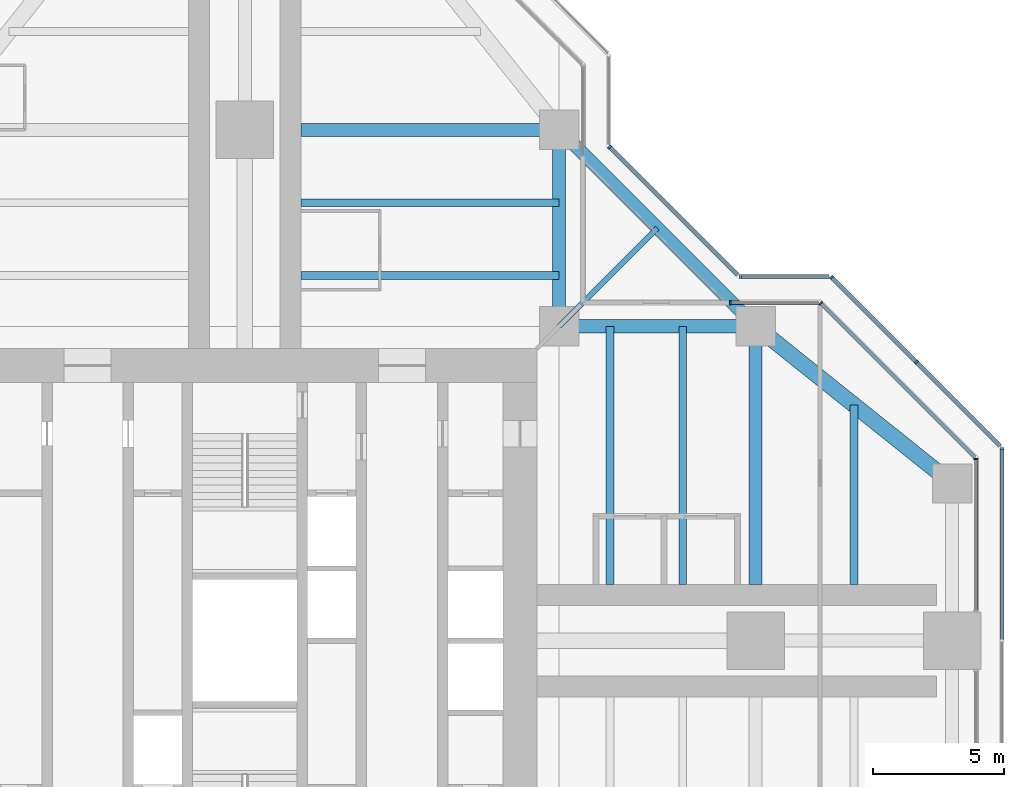
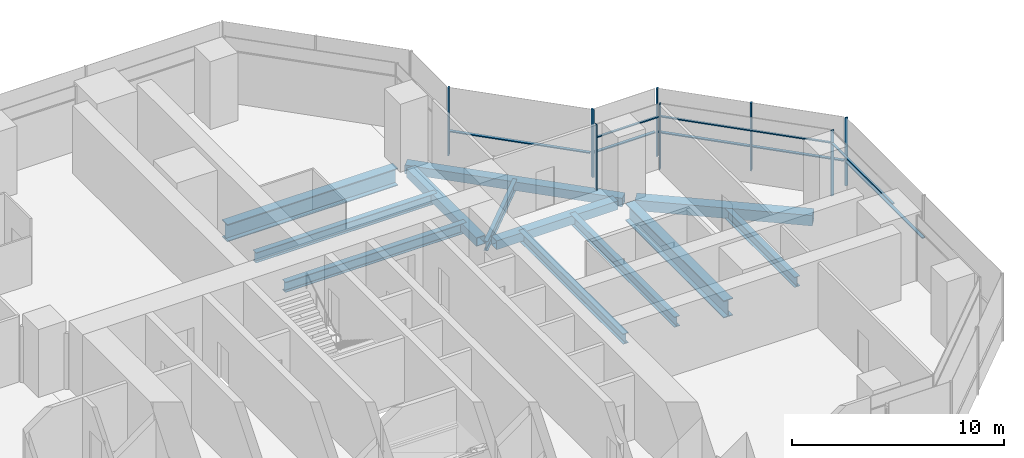
# One storey, part 8 of 17: 16 members, 12 beams, 7 elements without a shape of their own.
"""IFC4 building model written with IfcOpenShell, lengths in metres."""

from ifc_helpers import new_model, si_unit, direction, frame, origin, origin_2d, place, context, subcontext, project, spatial, rectangle, hollow_rectangle, i_section, extrude, material, material_profile, profile_set, type_object, element, aggregate, save


model = new_model("IFC4")

# Units and contexts
model_context = context("Model", 3, precision=1e-05, world=origin(), true_north=direction((0.0, 1.0)))
body_context = subcontext(model_context, "Body", "Model", "MODEL_VIEW")
ifc_project = project(units=[si_unit("LENGTHUNIT", "METRE"), si_unit("AREAUNIT", "SQUARE_METRE"), si_unit("VOLUMEUNIT", "CUBIC_METRE"), si_unit("PLANEANGLEUNIT", "RADIAN"), si_unit("MASSUNIT", "GRAM", prefix="KILO")], contexts=[model_context])

# Site, building, storey
site_placement = place(None, origin())
site = spatial("IfcSite", under=ifc_project, at=site_placement, CompositionType="ELEMENT")
building_placement = place(site_placement, origin())
building = spatial("IfcBuilding", under=site, at=building_placement, Name="Mizan Broadcast Tower", CompositionType="ELEMENT")
storey_placement = place(building_placement, frame((0.0, 0.0, 208.800048828125)))
storey = spatial("IfcBuildingStorey", under=building, at=storey_placement, Name="L48", CompositionType="ELEMENT", Elevation=208.800048828125)

# Beams
ifc_material_1 = material(Name="Steel S355", Category="steel")
ifc_material_profile_1 = material_profile(ifc_material_1, hollow_rectangle(XDim=0.5, YDim=0.5, WallThickness=0.030029296875, at=origin_2d()), Name="BOX 500x500x30")
ifc_profile_set_1 = profile_set([ifc_material_profile_1], Name="Steel S355")
beam_type_1 = type_object("IfcBeamType", Name="EDGE BEAM BOX 500x500x30", PredefinedType="SPANDREL", material=ifc_profile_set_1)
for number, where, z_axis, x_axis, name in (
    (1, (12.449951171875, 12.0, -0.380126953125), (1.0, 0.0, 0.0), (0.0, 1.0, 0.0), "Edge beam BOX 500x500x30 L48 east arm"),
    (2, (12.0, 12.449951171875, -0.380126953125), (0.0, 1.0, 0.0), (-1.0, 0.0, 0.0), "Edge beam BOX 500x500x30 L48 north arm"),
):
    element("IfcBeam", number, at=place(storey_placement, frame(where, z_axis=z_axis, x_axis=x_axis)), inside=storey, type_object=beam_type_1, Name=name, PredefinedType="SPANDREL", context=body_context, shape_type="SweptSolid", body=[
        extrude(hollow_rectangle(XDim=0.5, YDim=0.5, WallThickness=0.030029296875, at=origin_2d()), origin(), (0.0, 0.0, 1.0), 6.60009765625),
    ])
beam_1_placement = place(storey_placement, frame((19.5, 12.0, -0.380126953125), z_axis=(-0.707106781187, 0.707106781187, 0.0), x_axis=(-0.707106781187, -0.707106781187, 0.0)))
element("IfcBeam", 3, at=beam_1_placement, inside=storey, type_object=beam_type_1, Name="Winter garden edge beam L48 E", PredefinedType="SPANDREL", context=body_context, shape_type="SweptSolid", body=[
    extrude(hollow_rectangle(XDim=0.5, YDim=0.5, WallThickness=0.030029296875, at=origin_2d()), origin(), (0.0, 0.0, 1.0), 10.606689453125),
])
ifc_material_2 = material(Name="Steel S355", Category="steel")
ifc_material_profile_2 = material_profile(ifc_material_2, hollow_rectangle(XDim=0.60009765625, YDim=0.60009765625, WallThickness=0.030029296875, at=origin_2d()), Name="BOX 600x600x30")
ifc_profile_set_2 = profile_set([ifc_material_profile_2], Name="Steel S355")
beam_type_2 = type_object("IfcBeamType", Name="EDGE BEAM BOX 600x600x30", PredefinedType="SPANDREL", material=ifc_profile_set_2)
beam_2_placement = place(storey_placement, frame((19.949951171875, 11.639892578125, -0.429931640625), z_axis=(0.780885717636, -0.624673911726, 0.0), x_axis=(0.624673911726, 0.780885717636, 0.0)))
element("IfcBeam", 4, at=beam_2_placement, inside=storey, type_object=beam_type_2, Name="Edge beam BOX 600x600x30 L48 east arm", PredefinedType="SPANDREL", context=body_context, shape_type="SweptSolid", body=[
    extrude(hollow_rectangle(XDim=0.60009765625, YDim=0.60009765625, WallThickness=0.030029296875, at=origin_2d()), origin(), (0.0, 0.0, 1.0), 8.4521484375),
])
ifc_material_3 = material(Name="Steel S460", Category="steel")
ifc_material_profile_3 = material_profile(ifc_material_3, i_section(OverallWidth=0.5, OverallDepth=1.0, WebThickness=0.02490234375, FlangeThickness=0.050048828125, at=origin_2d()), Name="WPG 1000x500")
ifc_profile_set_3 = profile_set([ifc_material_profile_3], Name="Steel S460")
beam_type_3 = type_object("IfcBeamType", Name="GIRDER WPG 1000x500", PredefinedType="BEAM", material=ifc_profile_set_3)
for number, where, z_axis, x_axis, name in (
    (5, (19.5, 11.408935546875, -0.630126953125), (0.0, -1.0, 0.0), (1.0, 0.0, 0.0), "Girder WPG 1000x500 L48 east arm"),
    (6, (11.408935546875, 19.5, -0.630126953125), (-1.0, 0.0, 0.0), (0.0, -1.0, 0.0), "Girder WPG 1000x500 L48 north arm"),
):
    element("IfcBeam", number, at=place(storey_placement, frame(where, z_axis=z_axis, x_axis=x_axis)), inside=storey, type_object=beam_type_3, Name=name, PredefinedType="BEAM", context=body_context, shape_type="SweptSolid", body=[
        extrude(i_section(OverallWidth=0.5, OverallDepth=1.0, WebThickness=0.02490234375, FlangeThickness=0.050048828125, at=origin_2d()), origin(), (0.0, 0.0, 1.0), 9.259033203125),
    ])

# Curtain wall, member
ifc_material_4 = material(Name="Aluminium framed glazing", Category="aluminium")
curtain_wall_type_1 = type_object("IfcCurtainWallType", Name="INNER SKIN HIGH ZONE", PredefinedType="USERDEFINED", material=ifc_material_4)
curtain_wall_1_placement = place(storey_placement, origin())
curtain_wall_1 = element("IfcCurtainWall", 7, at=curtain_wall_1_placement, inside=storey, type_object=curtain_wall_type_1, Name="Inner skin high zone L48 E end", ObjectType="INNER SKIN HIGH ZONE", PredefinedType="USERDEFINED")
ifc_material_5 = material(Name="Aluminium, pale anodised", Category="aluminium")
ifc_material_profile_4 = material_profile(ifc_material_5, rectangle(XDim=0.159912109375, YDim=0.06005859375, at=origin_2d()), Name="MULLION 160x60")
ifc_profile_set_4 = profile_set([ifc_material_profile_4], Name="Aluminium, pale anodised")
member_type_1 = type_object("IfcMemberType", Name="INNER SKIN MULLION 60x160", PredefinedType="MULLION", material=ifc_profile_set_4)
member_1_placement = place(storey_placement, frame((27.89990234375, 6.928466796875, 0.0), z_axis=(0.0, 0.0, 1.0), x_axis=(-1.0, 0.0, 0.0)))
member_1 = element("IfcMember", 8, at=member_1_placement, type_object=member_type_1, Name="Inner skin high zone L48 E end mullion 2", PredefinedType="MULLION", context=body_context, shape_type="SweptSolid", body=[
    extrude(rectangle(XDim=0.159912109375, YDim=0.06005859375, at=origin_2d()), origin(), (0.0, 0.0, 1.0), 3.77001953125),
])

curtain_wall_2_placement = place(storey_placement, origin())
curtain_wall_2 = element("IfcCurtainWall", 9, at=curtain_wall_2_placement, inside=storey, type_object=curtain_wall_type_1, Name="Inner skin high zone L48 E chamfer", ObjectType="INNER SKIN HIGH ZONE", PredefinedType="USERDEFINED")
member_2_placement = place(storey_placement, frame((21.979736328125, 12.87890625, 0.0), z_axis=(0.0, 0.0, 1.0), x_axis=(-0.707106781187, -0.707106781187, 0.0)))
member_2 = element("IfcMember", 10, at=member_2_placement, type_object=member_type_1, Name="Inner skin high zone L48 E chamfer mullion 2", PredefinedType="MULLION", context=body_context, shape_type="SweptSolid", body=[
    extrude(rectangle(XDim=0.159912109375, YDim=0.06005859375, at=origin_2d()), origin(), (0.0, 0.0, 1.0), 3.77001953125),
])

curtain_wall_3_placement = place(storey_placement, origin())
curtain_wall_3 = element("IfcCurtainWall", 11, at=curtain_wall_3_placement, inside=storey, type_object=curtain_wall_type_1, Name="Inner skin high zone L48 E side", ObjectType="INNER SKIN HIGH ZONE", PredefinedType="USERDEFINED")
member_3_placement = place(storey_placement, frame((18.530029296875, 12.89990234375, 0.0), z_axis=(0.0, 0.0, 1.0), x_axis=(0.0, -1.0, 0.0)))
member_3 = element("IfcMember", 12, at=member_3_placement, type_object=member_type_1, Name="Inner skin high zone L48 E side mullion 2", PredefinedType="MULLION", context=body_context, shape_type="SweptSolid", body=[
    extrude(rectangle(XDim=0.159912109375, YDim=0.06005859375, at=origin_2d()), origin(), (0.0, 0.0, 1.0), 3.77001953125),
])

# Member
ifc_material_6 = material(Name="Aluminium, pale anodised", Category="aluminium")
ifc_material_profile_5 = material_profile(ifc_material_6, rectangle(XDim=0.1201171875, YDim=0.06005859375, at=origin_2d()), Name="TRANSOM 120x60")
ifc_profile_set_5 = profile_set([ifc_material_profile_5], Name="Aluminium, pale anodised")
member_type_2 = type_object("IfcMemberType", Name="INNER SKIN TRANSOM 60x120", PredefinedType="USERDEFINED", material=ifc_profile_set_5)
member_4_placement = place(storey_placement, frame((27.89990234375, 1.159912109375, 3.030029296875), z_axis=(0.0, 1.0, 0.0), x_axis=(-1.0, 0.0, 0.0)))
member_4 = element("IfcMember", 13, at=member_4_placement, type_object=member_type_2, Name="Inner skin high zone L48 E end transom 1.1", ObjectType="TRANSOM", PredefinedType="USERDEFINED", context=body_context, shape_type="SweptSolid", body=[
    extrude(rectangle(XDim=0.1201171875, YDim=0.06005859375, at=origin_2d()), origin(), (0.0, 0.0, 1.0), 5.73876953125),
])

aggregate(curtain_wall_1, [member_1, member_4])

member_5_placement = place(storey_placement, frame((27.857666015625, 7.0009765625, 3.030029296875), z_axis=(-0.707106781187, 0.707106781187, 0.0), x_axis=(-0.707106781187, -0.707106781187, 0.0)))
member_5 = element("IfcMember", 14, at=member_5_placement, type_object=member_type_2, Name="Inner skin high zone L48 E chamfer transom 1.1", ObjectType="TRANSOM", PredefinedType="USERDEFINED", context=body_context, shape_type="SweptSolid", body=[
    extrude(rectangle(XDim=0.1201171875, YDim=0.06005859375, at=origin_2d()), origin(), (0.0, 0.0, 1.0), 8.28271484375),
])

aggregate(curtain_wall_2, [member_2, member_5])

member_6_placement = place(storey_placement, frame((21.898681640625, 12.89990234375, 3.030029296875), z_axis=(-1.0, 0.0, 0.0), x_axis=(0.0, -1.0, 0.0)))
member_6 = element("IfcMember", 15, at=member_6_placement, type_object=member_type_2, Name="Inner skin high zone L48 E side transom 1.1", ObjectType="TRANSOM", PredefinedType="USERDEFINED", context=body_context, shape_type="SweptSolid", body=[
    extrude(rectangle(XDim=0.1201171875, YDim=0.06005859375, at=origin_2d()), origin(), (0.0, 0.0, 1.0), 3.338623046875),
])

aggregate(curtain_wall_3, [member_3, member_6])

# Curtain wall, member
ifc_material_7 = material(Name="Aluminium framed glazing", Category="aluminium")
curtain_wall_type_2 = type_object("IfcCurtainWallType", Name="OUTER SKIN", PredefinedType="USERDEFINED", material=ifc_material_7)
curtain_wall_4_placement = place(storey_placement, origin())
curtain_wall_4 = element("IfcCurtainWall", 16, at=curtain_wall_4_placement, inside=storey, type_object=curtain_wall_type_2, Name="Outer skin L48 E end", ObjectType="OUTER SKIN", PredefinedType="USERDEFINED")
ifc_material_8 = material(Name="Aluminium, pale anodised", Category="aluminium")
ifc_material_profile_6 = material_profile(ifc_material_8, rectangle(XDim=0.159912109375, YDim=0.080078125, at=origin_2d()), Name="MULLION 160x80")
ifc_profile_set_6 = profile_set([ifc_material_profile_6], Name="Aluminium, pale anodised")
member_type_3 = type_object("IfcMemberType", Name="OUTER SKIN MULLION 80x160", PredefinedType="MULLION", material=ifc_profile_set_6)
member_7_placement = place(storey_placement, frame((28.89990234375, 7.332763671875, 0.0), z_axis=(0.0, 0.0, 1.0), x_axis=(-1.0, 0.0, 0.0)))
member_7 = element("IfcMember", 17, at=member_7_placement, type_object=member_type_3, Name="Outer skin L48 E end mullion 3", PredefinedType="MULLION", context=body_context, shape_type="SweptSolid", body=[
    extrude(rectangle(XDim=0.159912109375, YDim=0.080078125, at=origin_2d()), origin(), (0.0, 0.0, 1.0), 3.89990234375),
])

# Curtain wall, members
curtain_wall_5_placement = place(storey_placement, origin())
curtain_wall_5 = element("IfcCurtainWall", 18, at=curtain_wall_5_placement, inside=storey, type_object=curtain_wall_type_2, Name="Outer skin L48 E chamfer", ObjectType="OUTER SKIN", PredefinedType="USERDEFINED")
member_8_placement = place(storey_placement, frame((25.636474609375, 10.636474609375, 0.0), z_axis=(0.0, 0.0, 1.0), x_axis=(-0.707106781187, -0.707106781187, 0.0)))
member_8 = element("IfcMember", 19, at=member_8_placement, type_object=member_type_3, Name="Outer skin L48 E chamfer mullion 2", PredefinedType="MULLION", context=body_context, shape_type="SweptSolid", body=[
    extrude(rectangle(XDim=0.159912109375, YDim=0.080078125, at=origin_2d()), origin(), (0.0, 0.0, 1.0), 3.89990234375),
])
member_9_placement = place(storey_placement, frame((22.401123046875, 13.871826171875, 0.0), z_axis=(0.0, 0.0, 1.0), x_axis=(-0.707106781187, -0.707106781187, 0.0)))
member_9 = element("IfcMember", 20, at=member_9_placement, type_object=member_type_3, Name="Outer skin L48 E chamfer mullion 3", PredefinedType="MULLION", context=body_context, shape_type="SweptSolid", body=[
    extrude(rectangle(XDim=0.159912109375, YDim=0.080078125, at=origin_2d()), origin(), (0.0, 0.0, 1.0), 3.89990234375),
])

# Curtain wall, member
curtain_wall_6_placement = place(storey_placement, origin())
curtain_wall_6 = element("IfcCurtainWall", 21, at=curtain_wall_6_placement, inside=storey, type_object=curtain_wall_type_2, Name="Outer skin L48 E side", ObjectType="OUTER SKIN", PredefinedType="USERDEFINED")
member_10_placement = place(storey_placement, frame((18.912841796875, 13.89990234375, 0.0), z_axis=(0.0, 0.0, 1.0), x_axis=(0.0, -1.0, 0.0)))
member_10 = element("IfcMember", 22, at=member_10_placement, type_object=member_type_3, Name="Outer skin L48 E side mullion 2", PredefinedType="MULLION", context=body_context, shape_type="SweptSolid", body=[
    extrude(rectangle(XDim=0.159912109375, YDim=0.080078125, at=origin_2d()), origin(), (0.0, 0.0, 1.0), 3.89990234375),
])

curtain_wall_7_placement = place(storey_placement, origin())
curtain_wall_7 = element("IfcCurtainWall", 23, at=curtain_wall_7_placement, inside=storey, type_object=curtain_wall_type_2, Name="Outer skin L48 E chamfer", ObjectType="OUTER SKIN", PredefinedType="USERDEFINED")
member_11_placement = place(storey_placement, frame((13.92822265625, 18.844482421875, 0.0), z_axis=(0.0, 0.0, 1.0), x_axis=(-0.707106781187, -0.707106781187, 0.0)))
member_11 = element("IfcMember", 24, at=member_11_placement, type_object=member_type_3, Name="Outer skin L48 E chamfer mullion 2", PredefinedType="MULLION", context=body_context, shape_type="SweptSolid", body=[
    extrude(rectangle(XDim=0.159912109375, YDim=0.080078125, at=origin_2d()), origin(), (0.0, 0.0, 1.0), 3.89990234375),
])

# Member
ifc_material_9 = material(Name="Aluminium, pale anodised", Category="aluminium")
ifc_material_profile_7 = material_profile(ifc_material_9, rectangle(XDim=0.159912109375, YDim=0.06005859375, at=origin_2d()), Name="TRANSOM 160x60")
ifc_profile_set_7 = profile_set([ifc_material_profile_7], Name="Aluminium, pale anodised")
member_type_4 = type_object("IfcMemberType", Name="OUTER SKIN TRANSOM 60x160", PredefinedType="USERDEFINED", material=ifc_profile_set_7)
member_12_placement = place(storey_placement, frame((28.89990234375, 0.0400390625, 1.39990234375), z_axis=(0.0, 1.0, 0.0), x_axis=(-1.0, 0.0, 0.0)))
member_12 = element("IfcMember", 25, at=member_12_placement, type_object=member_type_4, Name="Outer skin L48 E end transom 2.1", ObjectType="TRANSOM", PredefinedType="USERDEFINED", context=body_context, shape_type="SweptSolid", body=[
    extrude(rectangle(XDim=0.159912109375, YDim=0.06005859375, at=origin_2d()), origin(), (0.0, 0.0, 1.0), 7.252685546875),
])

aggregate(curtain_wall_4, [member_7, member_12])

member_13_placement = place(storey_placement, frame((28.843505859375, 7.429443359375, 1.39990234375), z_axis=(-0.707106781187, 0.707106781187, 0.0), x_axis=(-0.707106781187, -0.707106781187, 0.0)))
member_13 = element("IfcMember", 26, at=member_13_placement, type_object=member_type_4, Name="Outer skin L48 E chamfer transom 1.1", ObjectType="TRANSOM", PredefinedType="USERDEFINED", context=body_context, shape_type="SweptSolid", body=[
    extrude(rectangle(XDim=0.159912109375, YDim=0.06005859375, at=origin_2d()), origin(), (0.0, 0.0, 1.0), 4.495361328125),
])

member_14_placement = place(storey_placement, frame((25.608154296875, 10.664794921875, 1.39990234375), z_axis=(-0.707106781187, 0.707106781187, 0.0), x_axis=(-0.707106781187, -0.707106781187, 0.0)))
member_14 = element("IfcMember", 27, at=member_14_placement, type_object=member_type_4, Name="Outer skin L48 E chamfer transom 2.1", ObjectType="TRANSOM", PredefinedType="USERDEFINED", context=body_context, shape_type="SweptSolid", body=[
    extrude(rectangle(XDim=0.159912109375, YDim=0.06005859375, at=origin_2d()), origin(), (0.0, 0.0, 1.0), 4.495361328125),
])

aggregate(curtain_wall_5, [member_8, member_9, member_13, member_14])

member_15_placement = place(storey_placement, frame((22.292724609375, 13.89990234375, 1.39990234375), z_axis=(-1.0, 0.0, 0.0), x_axis=(0.0, -1.0, 0.0)))
member_15 = element("IfcMember", 28, at=member_15_placement, type_object=member_type_4, Name="Outer skin L48 E side transom 1.1", ObjectType="TRANSOM", PredefinedType="USERDEFINED", context=body_context, shape_type="SweptSolid", body=[
    extrude(rectangle(XDim=0.159912109375, YDim=0.06005859375, at=origin_2d()), origin(), (0.0, 0.0, 1.0), 3.33984375),
])

aggregate(curtain_wall_6, [member_10, member_15])

member_16_placement = place(storey_placement, frame((18.816162109375, 13.95654296875, 1.39990234375), z_axis=(-0.707106781187, 0.707106781187, 0.0), x_axis=(-0.707106781187, -0.707106781187, 0.0)))
member_16 = element("IfcMember", 29, at=member_16_placement, type_object=member_type_4, Name="Outer skin L48 E chamfer transom 1.1", ObjectType="TRANSOM", PredefinedType="USERDEFINED", context=body_context, shape_type="SweptSolid", body=[
    extrude(rectangle(XDim=0.159912109375, YDim=0.06005859375, at=origin_2d()), origin(), (0.0, 0.0, 1.0), 6.87255859375),
])

aggregate(curtain_wall_7, [member_11, member_16])

# Beams
ifc_material_10 = material(Name="Steel S355", Category="steel")
ifc_material_profile_8 = material_profile(ifc_material_10, i_section(OverallWidth=0.300048828125, OverallDepth=0.590087890625, WebThickness=0.012939453125, FlangeThickness=0.02490234375, FilletRadius=0.027099609375, at=origin_2d()), Name="HEA 600")
ifc_profile_set_8 = profile_set([ifc_material_profile_8], Name="Steel S355")
beam_type_4 = type_object("IfcBeamType", Name="SECONDARY BEAM HEA 600", PredefinedType="JOIST", material=ifc_profile_set_8)
for number, where, z_axis, x_axis, name in (
    (30, (13.933349609375, 12.0, -0.425048828125), (0.0, -1.0, 0.0), (1.0, 0.0, 0.0), "Secondary beam HEA 600 L48 east arm"),
    (31, (16.716552734375, 12.0, -0.425048828125), (0.0, -1.0, 0.0), (1.0, 0.0, 0.0), "Secondary beam HEA 600 L48 east arm"),
):
    element("IfcBeam", number, at=place(storey_placement, frame(where, z_axis=z_axis, x_axis=x_axis)), inside=storey, type_object=beam_type_4, Name=name, PredefinedType="JOIST", context=body_context, shape_type="SweptSolid", body=[
        extrude(i_section(OverallWidth=0.300048828125, OverallDepth=0.590087890625, WebThickness=0.012939453125, FlangeThickness=0.02490234375, FilletRadius=0.027099609375, at=origin_2d()), origin(), (0.0, 0.0, 1.0), 9.85009765625),
    ])
beam_3_placement = place(storey_placement, frame((23.25, 9.0, -0.425048828125), z_axis=(0.0, -1.0, 0.0), x_axis=(1.0, 0.0, 0.0)))
element("IfcBeam", 32, at=beam_3_placement, inside=storey, type_object=beam_type_4, Name="Secondary beam HEA 600 L48 east arm", PredefinedType="JOIST", context=body_context, shape_type="SweptSolid", body=[
    extrude(i_section(OverallWidth=0.300048828125, OverallDepth=0.590087890625, WebThickness=0.012939453125, FlangeThickness=0.02490234375, FilletRadius=0.027099609375, at=origin_2d()), origin(), (0.0, 0.0, 1.0), 6.85009765625),
])
for number, where, z_axis, x_axis, name in (
    (33, (12.0, 13.933349609375, -0.425048828125), (-1.0, 0.0, 0.0), (0.0, -1.0, 0.0), "Secondary beam HEA 600 L48 north arm"),
    (34, (12.0, 16.716552734375, -0.425048828125), (-1.0, 0.0, 0.0), (0.0, -1.0, 0.0), "Secondary beam HEA 600 L48 north arm"),
):
    element("IfcBeam", number, at=place(storey_placement, frame(where, z_axis=z_axis, x_axis=x_axis)), inside=storey, type_object=beam_type_4, Name=name, PredefinedType="JOIST", context=body_context, shape_type="SweptSolid", body=[
        extrude(i_section(OverallWidth=0.300048828125, OverallDepth=0.590087890625, WebThickness=0.012939453125, FlangeThickness=0.02490234375, FilletRadius=0.027099609375, at=origin_2d()), origin(), (0.0, 0.0, 1.0), 9.85009765625),
    ])
ifc_material_11 = material(Name="Steel S355", Category="steel")
ifc_material_profile_9 = material_profile(ifc_material_11, i_section(OverallWidth=0.2099609375, OverallDepth=0.550048828125, WebThickness=0.010986328125, FlangeThickness=0.01708984375, FilletRadius=0.02392578125, at=origin_2d()), Name="IPE 550")
ifc_profile_set_9 = profile_set([ifc_material_profile_9], Name="Steel S355")
beam_type_5 = type_object("IfcBeamType", Name="SECONDARY BEAM IPE 550", PredefinedType="JOIST", material=ifc_profile_set_9)
beam_4_placement = place(storey_placement, frame((12.0, 12.0, -0.405029296875), z_axis=(0.707106781187, 0.707106781187, 0.0), x_axis=(-0.707106781187, 0.707106781187, 0.0)))
element("IfcBeam", 35, at=beam_4_placement, inside=storey, type_object=beam_type_5, Name="Winter garden beam L48 E", PredefinedType="JOIST", context=body_context, shape_type="SweptSolid", body=[
    extrude(i_section(OverallWidth=0.2099609375, OverallDepth=0.550048828125, WebThickness=0.010986328125, FlangeThickness=0.01708984375, FilletRadius=0.02392578125, at=origin_2d()), origin(), (0.0, 0.0, 1.0), 5.30322265625),
])

save(model, "model.ifc")
